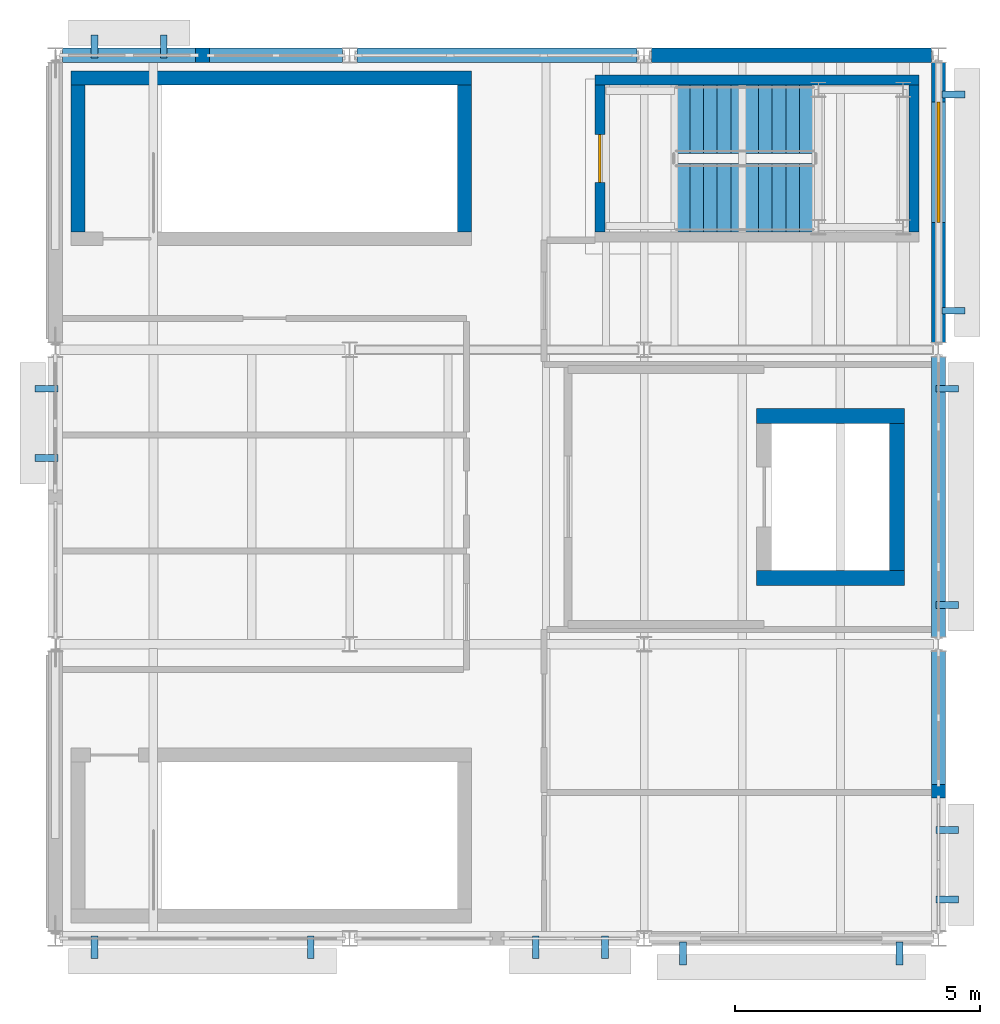
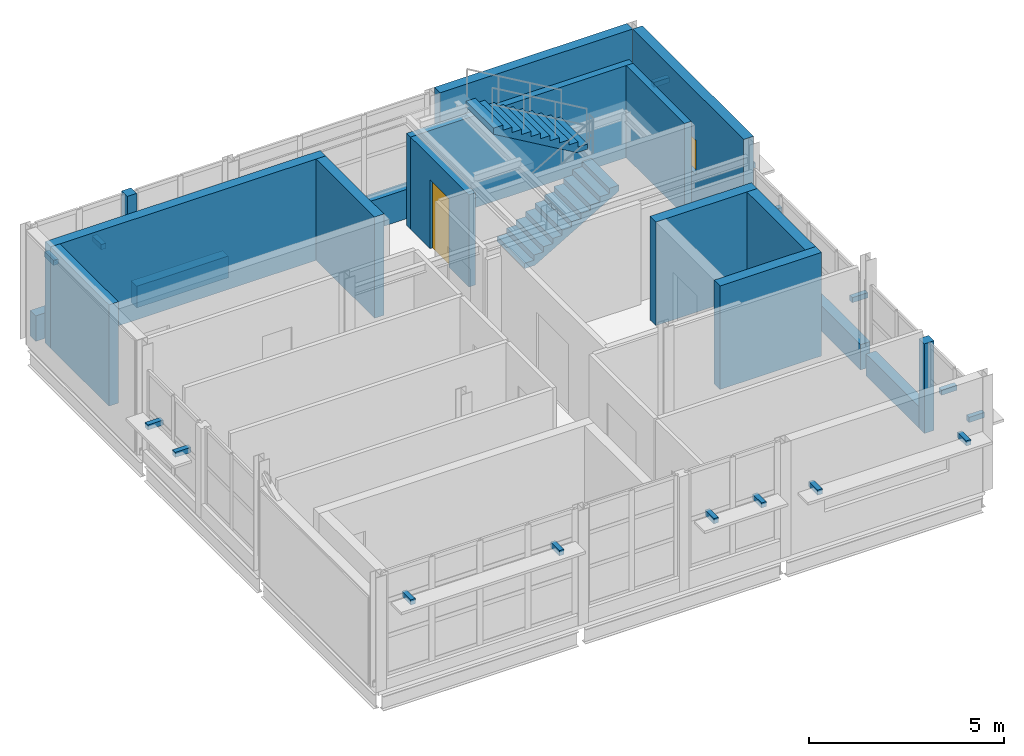
# One storey, part 7 of 8: 18 walls, 16 discrete accessories, 2 stair flights, 1 door, 1 window, 2 openings, 1 element without a shape of its own.
"""IFC4 building model written with IfcOpenShell, lengths in metres."""

from ifc_helpers import new_model, si_unit, direction, frame, frame_2d, origin, origin_2d, place, context, subcontext, project, spatial, polyline, rectangle, outline, extrude, material, layer, layer_set, type_object, element, fill, aggregate, save


model = new_model("IFC4")

# Units and contexts
model_context = context("Model", 3, precision=1e-05, world=origin(), true_north=direction((0.0, 1.0)))
body_context = subcontext(model_context, "Body", "Model", "MODEL_VIEW")
ifc_project = project(units=[si_unit("LENGTHUNIT", "METRE"), si_unit("AREAUNIT", "SQUARE_METRE"), si_unit("VOLUMEUNIT", "CUBIC_METRE"), si_unit("PLANEANGLEUNIT", "RADIAN"), si_unit("MASSUNIT", "GRAM", prefix="KILO")], contexts=[model_context])

# Site, building, storey
site_placement = place(None, origin())
site = spatial("IfcSite", under=ifc_project, at=site_placement, CompositionType="ELEMENT")
building_placement = place(site_placement, origin())
building = spatial("IfcBuilding", under=site, at=building_placement, Name="Siltcreek Boulevard Central Fire Station", CompositionType="ELEMENT")
storey_placement = place(building_placement, frame((0.0, 0.0, 21.60009765625)))
storey = spatial("IfcBuildingStorey", under=building, at=storey_placement, Name="L06", CompositionType="ELEMENT", Elevation=21.60009765625)

# Walls
ifc_material_1 = material(Name="Concrete C40/50", Category="concrete")
ifc_layer_1 = layer(ifc_material_1, 0.280029296875, Name="Concrete C40/50")
ifc_layer_set_1 = layer_set([ifc_layer_1], Name="Concrete C40/50")
wall_type_1 = type_object("IfcWallType", Name="CW_SHEAR280", PredefinedType="SHEAR", material=ifc_layer_set_1)
wall_1_placement = place(storey_placement, frame((50.47998046875, 111.739990234375, 0.0), z_axis=(0.0, 0.0, 1.0), x_axis=(-1.0, 0.0, 0.0)))
element("IfcWall", 1, at=wall_1_placement, inside=storey, type_object=wall_type_1, Name="L06 ST-V3B stair enclosure north shear wall", PredefinedType="SHEAR", context=body_context, shape_type="SweptSolid", body=[
    extrude(rectangle(XDim=8.159912109375, YDim=0.280029296875, at=frame_2d((4.080078125, 0.0))), origin(), (0.0, 0.0, 1.0), 3.179931640625),
])
for number, where, z_axis, x_axis, name in (
    (2, (42.4599609375, 111.60009765625, 0.0), (0.0, 0.0, 1.0), (0.0, -1.0, 0.0), "L06 ST-V3B stair enclosure west shear wall"),
    (3, (50.340087890625, 108.60009765625, 0.0), (0.0, 0.0, 1.0), (0.0, 1.0, 0.0), "L06 ST-V3B stair enclosure east shear wall"),
):
    element("IfcWall", number, at=place(storey_placement, frame(where, z_axis=z_axis, x_axis=x_axis)), inside=storey, type_object=wall_type_1, Name=name, PredefinedType="SHEAR", context=body_context, shape_type="SweptSolid", body=[
        extrude(rectangle(XDim=3.0, YDim=0.280029296875, at=frame_2d((1.5, 0.0))), origin(), (0.0, 0.0, 1.0), 3.179931640625),
    ])
ifc_layer_2 = layer(ifc_material_1, 0.304931640625, Name="Concrete C40/50")
ifc_layer_set_2 = layer_set([ifc_layer_2], Name="Concrete C40/50")
wall_type_2 = type_object("IfcWallType", Name="CW_SHEAR305", PredefinedType="SHEAR", material=ifc_layer_set_2)
for number, where, z_axis, x_axis, name in (
    (4, (56.294921875, 101.547607421875, 0.0), (0.0, 0.0, 1.0), (1.0, 0.0, 0.0), "L06 EL-04 elevator shaft south shear wall"),
    (5, (59.304931640625, 104.8525390625, 0.0), (0.0, 0.0, 1.0), (-1.0, 0.0, 0.0), "L06 EL-04 elevator shaft north shear wall"),
):
    element("IfcWall", number, at=place(storey_placement, frame(where, z_axis=z_axis, x_axis=x_axis)), inside=storey, type_object=wall_type_2, Name=name, PredefinedType="SHEAR", context=body_context, shape_type="SweptSolid", body=[
        extrude(rectangle(XDim=3.010009765625, YDim=0.304931640625, at=frame_2d((1.5048828125, 0.0))), origin(), (0.0, 0.0, 1.0), 3.25),
    ])
wall_2_placement = place(storey_placement, frame((59.152587890625, 101.699951171875, 0.0), z_axis=(0.0, 0.0, 1.0), x_axis=(0.0, 1.0, 0.0)))
element("IfcWall", 6, at=wall_2_placement, inside=storey, type_object=wall_type_2, Name="L06 EL-04 elevator shaft east shear wall", PredefinedType="SHEAR", context=body_context, shape_type="SweptSolid", body=[
    extrude(rectangle(XDim=3.0, YDim=0.304931640625, at=frame_2d((1.5, 0.0))), origin(), (0.0, 0.0, 1.0), 3.25),
])
ifc_material_2 = material(Name="White ribbed aluminum spandrel wall", Category="aluminium")
ifc_layer_3 = layer(ifc_material_2, 0.2900390625, Name="White ribbed aluminum spandrel wall")
ifc_layer_set_3 = layer_set([ifc_layer_3], Name="White ribbed aluminum spandrel wall")
wall_type_3 = type_object("IfcWallType", Name="EW_METAL290", PredefinedType="STANDARD", material=ifc_layer_set_3)
wall_3_placement = place(storey_placement, frame((45.139892578125, 112.199951171875, 0.0), z_axis=(0.0, 0.0, 1.0), x_axis=(-1.0, 0.0, 0.0)))
element("IfcWall", 7, at=wall_3_placement, inside=storey, type_object=wall_type_3, Name="L06 V3 facade pier 0208", PredefinedType="STANDARD", context=body_context, shape_type="SweptSolid", body=[
    extrude(rectangle(XDim=0.27978515625, YDim=0.2900390625, at=frame_2d((0.139892578125, 0.0))), origin(), (0.0, 0.0, 1.0), 3.599853515625),
])
wall_4_placement = place(storey_placement, frame((47.85498046875, 112.199951171875, 0.0), z_axis=(0.0, 0.0, 1.0), x_axis=(-1.0, 0.0, 0.0)))
element("IfcWall", 8, at=wall_4_placement, inside=storey, type_object=wall_type_3, Name="L06 V3 curtain-wall sill spandrel 0209", PredefinedType="STANDARD", context=body_context, shape_type="SweptSolid", body=[
    extrude(rectangle(XDim=2.715087890625, YDim=0.2900390625, at=frame_2d((1.357421875, 0.0))), origin(), (0.0, 0.0, 1.0), 0.679931640625),
])
wall_5_placement = place(storey_placement, frame((44.860107421875, 112.199951171875, 0.0), z_axis=(0.0, 0.0, 1.0), x_axis=(-1.0, 0.0, 0.0)))
element("IfcWall", 9, at=wall_5_placement, inside=storey, type_object=wall_type_3, Name="L06 V3 curtain-wall sill spandrel 0210", PredefinedType="STANDARD", context=body_context, shape_type="SweptSolid", body=[
    extrude(rectangle(XDim=2.715087890625, YDim=0.2900390625, at=frame_2d((1.357421875, 0.0))), origin(), (0.0, 0.0, 1.0), 0.7998046875),
])
wall_6_placement = place(storey_placement, frame((53.85498046875, 112.199951171875, 0.0), z_axis=(0.0, 0.0, 1.0), x_axis=(-1.0, 0.0, 0.0)))
element("IfcWall", 10, at=wall_6_placement, inside=storey, type_object=wall_type_3, Name="L06 V3 curtain-wall sill spandrel 0211", PredefinedType="STANDARD", context=body_context, shape_type="SweptSolid", body=[
    extrude(rectangle(XDim=5.7099609375, YDim=0.2900390625, at=frame_2d((2.85498046875, 0.0))), origin(), (0.0, 0.0, 1.0), 0.919921875),
])
wall_7_placement = place(storey_placement, frame((59.85498046875, 112.199951171875, 0.0), z_axis=(0.0, 0.0, 1.0), x_axis=(-1.0, 0.0, 0.0)))
element("IfcWall", 11, at=wall_7_placement, inside=storey, type_object=wall_type_3, Name="L06 V3 exterior insulated rainscreen wall WL-EXT-L06-0212", PredefinedType="STANDARD", context=body_context, shape_type="SweptSolid", body=[
    extrude(rectangle(XDim=5.7099609375, YDim=0.2900390625, at=frame_2d((2.85498046875, 0.0))), origin(), (0.0, 0.0, 1.0), 3.599853515625),
])
wall_8_placement = place(storey_placement, frame((60.0, 97.06005859375, 0.0), z_axis=(0.0, 0.0, 1.0), x_axis=(0.0, 1.0, 0.0)))
element("IfcWall", 12, at=wall_8_placement, inside=storey, type_object=wall_type_3, Name="L06 V3 facade pier 0218", PredefinedType="STANDARD", context=body_context, shape_type="SweptSolid", body=[
    extrude(rectangle(XDim=0.280029296875, YDim=0.2900390625, at=frame_2d((0.14013671875, 0.0))), origin(), (0.0, 0.0, 1.0), 2.812744140625),
])
wall_9_placement = place(storey_placement, frame((60.0, 97.340087890625, 0.0), z_axis=(0.0, 0.0, 1.0), x_axis=(0.0, 1.0, 0.0)))
element("IfcWall", 13, at=wall_9_placement, inside=storey, type_object=wall_type_3, Name="L06 V3 curtain-wall sill spandrel 0220", PredefinedType="STANDARD", context=body_context, shape_type="SweptSolid", body=[
    extrude(rectangle(XDim=2.71484375, YDim=0.2900390625, at=frame_2d((1.357421875, 0.0))), origin(), (0.0, 0.0, 1.0), 0.679931640625),
])
wall_10_placement = place(storey_placement, frame((60.0, 100.344970703125, 0.0), z_axis=(0.0, 0.0, 1.0), x_axis=(0.0, 1.0, 0.0)))
element("IfcWall", 14, at=wall_10_placement, inside=storey, type_object=wall_type_3, Name="L06 V3 curtain-wall sill spandrel 0221", PredefinedType="STANDARD", context=body_context, shape_type="SweptSolid", body=[
    extrude(rectangle(XDim=5.7099609375, YDim=0.2900390625, at=frame_2d((2.85498046875, 0.0))), origin(), (0.0, 0.0, 1.0), 0.7998046875),
])

# Wall, opening, window
wall_11_placement = place(storey_placement, frame((60.0, 106.344970703125, 0.0), z_axis=(0.0, 0.0, 1.0), x_axis=(0.0, 1.0, 0.0)))
wall_11 = element("IfcWall", 15, at=wall_11_placement, inside=storey, type_object=wall_type_3, Name="L06 V3 exterior insulated rainscreen wall WL-EXT-L06-0222", PredefinedType="STANDARD", context=body_context, shape_type="SweptSolid", body=[
    extrude(rectangle(XDim=5.7099609375, YDim=0.2900390625, at=frame_2d((2.85498046875, 0.0))), origin(), (0.0, 0.0, 1.0), 3.599853515625),
])
opening_1_placement = place(wall_11_placement, frame((2.44921875, 0.0, 1.0)))
opening_1 = element("IfcOpeningElement", 16, at=opening_1_placement, cuts=wall_11, Name="Opening WN31", PredefinedType="OPENING", context=body_context, shape_type="SweptSolid", body=[
    extrude(rectangle(XDim=2.449951171875, YDim=1.080078125, at=frame_2d((1.22509765625, 0.5400390625))), frame((0.0, 0.155029296875, 0.0), z_axis=(0.0, -1.0, 0.0), x_axis=(1.0, 0.0, 0.0)), (0.0, 0.0, 1.0), 0.31005859375),
])
ifc_material_3 = material(Name="Thermally broken aluminum frame with low-E insulated glass", Category="aluminium")
window_type = type_object("IfcWindowType", Name="WN_CL_245X108", PartitioningType="SINGLE_PANEL", PredefinedType="WINDOW", material=ifc_material_3)
window_placement = place(opening_1_placement, origin())
window = element("IfcWindow", 17, at=window_placement, inside=storey, type_object=window_type, Name="L06 V3 exterior window WN-0098", OverallHeight=1.080078125, OverallWidth=2.449951171875, PartitioningType="SINGLE_PANEL", PredefinedType="WINDOW", context=body_context, shape_type="SweptSolid", body=[
    extrude(rectangle(XDim=2.449951171875, YDim=1.080078125, at=frame_2d((1.22509765625, 0.5400390625))), frame((0.0, 0.030029296875, 0.0), z_axis=(0.0, -1.0, 0.0), x_axis=(1.0, 0.0, 0.0)), (0.0, 0.0, 1.0), 0.06005859375),
])
fill(opening_1, window)

# Wall
ifc_material_4 = material(Name="Fire-rated concrete masonry and gypsum barrier", Category="masonry")
ifc_layer_4 = layer(ifc_material_4, 0.199951171875, Name="Fire-rated concrete masonry and gypsum barrier")
ifc_layer_set_4 = layer_set([ifc_layer_4], Name="Fire-rated concrete masonry and gypsum barrier")
wall_type_4 = type_object("IfcWallType", Name="IW_FIRE200", PredefinedType="PARTITIONING", material=ifc_layer_set_4)
wall_12_placement = place(storey_placement, frame((59.60009765625, 111.699951171875, 0.0), z_axis=(0.0, 0.0, 1.0), x_axis=(-1.0, 0.0, 0.0)))
element("IfcWall", 18, at=wall_12_placement, inside=storey, type_object=wall_type_4, Name="L06 ST-V3-RF stair enclosure north fire wall", PredefinedType="PARTITIONING", context=body_context, shape_type="SweptSolid", body=[
    extrude(rectangle(XDim=6.60009765625, YDim=0.199951171875, at=frame_2d((3.300048828125, 0.0))), origin(), (0.0, 0.0, 1.0), 2.889892578125),
])

# Wall, opening, door
wall_13_placement = place(storey_placement, frame((53.10009765625, 111.60009765625, 0.0), z_axis=(0.0, 0.0, 1.0), x_axis=(0.0, -1.0, 0.0)))
wall_13 = element("IfcWall", 19, at=wall_13_placement, inside=storey, type_object=wall_type_4, Name="L06 ST-V3-RF stair enclosure west fire wall", PredefinedType="PARTITIONING", context=body_context, shape_type="SweptSolid", body=[
    extrude(rectangle(XDim=3.0, YDim=0.199951171875, at=frame_2d((1.5, 0.0))), origin(), (0.0, 0.0, 1.0), 2.889892578125),
])
opening_2_placement = place(wall_13_placement, frame((1.010009765625, 0.0, 0.0)))
opening_2 = element("IfcOpeningElement", 20, at=opening_2_placement, cuts=wall_13, Name="Opening SD-050", PredefinedType="OPENING", context=body_context, shape_type="SweptSolid", body=[
    extrude(rectangle(XDim=0.97998046875, YDim=2.14990234375, at=frame_2d((0.489990234375, 1.074951171875))), frame((0.0, 0.10986328125, 0.0), z_axis=(0.0, -1.0, 0.0), x_axis=(1.0, 0.0, 0.0)), (0.0, 0.0, 1.0), 0.219970703125),
])
ifc_material_5 = material(Name="Hollow metal 90-min enclosed stair door")
door_type = type_object("IfcDoorType", Name="DR_ST_098X215", OperationType="NOTDEFINED", PredefinedType="DOOR", material=ifc_material_5)
door_placement = place(opening_2_placement, origin())
door = element("IfcDoor", 21, at=door_placement, inside=storey, type_object=door_type, Name="L06 ST-V3-RF enclosed exit stair door SD-050", OperationType="SINGLE_SWING_LEFT", OverallHeight=2.14990234375, OverallWidth=0.97998046875, PredefinedType="DOOR", context=body_context, shape_type="SweptSolid", body=[
    extrude(rectangle(XDim=0.97998046875, YDim=2.14990234375, at=frame_2d((0.489990234375, 1.074951171875))), frame((0.0, 0.02490234375, 0.0), z_axis=(0.0, -1.0, 0.0), x_axis=(1.0, 0.0, 0.0)), (0.0, 0.0, 1.0), 0.050048828125),
])
fill(opening_2, door)

# Wall
wall_14_placement = place(storey_placement, frame((59.5, 108.60009765625, 0.0), z_axis=(0.0, 0.0, 1.0), x_axis=(0.0, 1.0, 0.0)))
element("IfcWall", 22, at=wall_14_placement, inside=storey, type_object=wall_type_4, Name="L06 ST-V3-RF stair enclosure east fire wall", PredefinedType="PARTITIONING", context=body_context, shape_type="SweptSolid", body=[
    extrude(rectangle(XDim=3.0, YDim=0.199951171875, at=frame_2d((1.5, 0.0))), origin(), (0.0, 0.0, 1.0), 2.889892578125),
])

# Stair, stair flights
ifc_material_6 = material(Name="Precast concrete C40/50", Category="concrete")
stair_type = type_object("IfcStairType", Name="ST_DOG_H36", PredefinedType="HALF_TURN_STAIR", material=ifc_material_6)
stair_placement = place(storey_placement, origin())
stair = element("IfcStair", 23, at=stair_placement, inside=storey, type_object=stair_type, Name="L06 Enclosed exit stairway ST-V3-RF", PredefinedType="HALF_TURN_STAIR")
stair_flight_type = type_object("IfcStairFlightType", Name="SF_DOG_H36", PredefinedType="STRAIGHT", material=ifc_material_6)
stair_flight_1_placement = place(storey_placement, frame((54.64990234375, 109.300048828125, 0.0), z_axis=(0.0, 0.0, 1.0), x_axis=(1.0, 0.0, 0.0)))
stair_flight_1 = element("IfcStairFlight", 24, at=stair_flight_1_placement, type_object=stair_flight_type, Name="ST-V3-RF flight 1", NumberOfRisers=11, NumberOfTreads=10, PredefinedType="STRAIGHT", RiserHeight=0.163636364, TreadLength=0.28, context=body_context, shape_type="SweptSolid", body=[
    extrude(outline(polyline([(0.0, 0.0), (0.0, 0.16357421875), (0.280029296875, 0.16357421875), (0.280029296875, 0.327392578125), (0.56005859375, 0.327392578125), (0.56005859375, 0.490966796875), (0.840087890625, 0.490966796875), (0.840087890625, 0.654541015625), (1.1201171875, 0.654541015625), (1.1201171875, 0.818115234375), (1.39990234375, 0.818115234375), (1.39990234375, 0.98193359375), (1.679931640625, 0.98193359375), (1.679931640625, 1.1455078125), (1.9599609375, 1.1455078125), (1.9599609375, 1.30908203125), (2.239990234375, 1.30908203125), (2.239990234375, 1.47265625), (2.52001953125, 1.47265625), (2.52001953125, 1.636474609375), (2.800048828125, 1.636474609375), (2.800048828125, 1.800048828125), (2.800048828125, 1.451171875), (0.31689453125, 0.0), (0.0, 0.0)])), frame((0.0, 0.699951171875, 0.0), z_axis=(0.0, -1.0, 0.0), x_axis=(1.0, 0.0, 0.0)), (0.0, 0.0, 1.0), 1.39990234375),
])
stair_flight_2_placement = place(storey_placement, frame((57.449951171875, 110.89990234375, 1.7998046875), z_axis=(0.0, 0.0, 1.0), x_axis=(-1.0, 0.0, 0.0)))
stair_flight_2 = element("IfcStairFlight", 25, at=stair_flight_2_placement, type_object=stair_flight_type, Name="ST-V3-RF flight 2", NumberOfRisers=11, NumberOfTreads=10, PredefinedType="STRAIGHT", RiserHeight=0.163636364, TreadLength=0.28, context=body_context, shape_type="SweptSolid", body=[
    extrude(outline(polyline([(0.0, 0.0), (0.0, 0.16357421875), (0.280029296875, 0.16357421875), (0.280029296875, 0.327392578125), (0.56005859375, 0.327392578125), (0.56005859375, 0.490966796875), (0.840087890625, 0.490966796875), (0.840087890625, 0.654541015625), (1.1201171875, 0.654541015625), (1.1201171875, 0.818115234375), (1.39990234375, 0.818115234375), (1.39990234375, 0.98193359375), (1.679931640625, 0.98193359375), (1.679931640625, 1.1455078125), (1.9599609375, 1.1455078125), (1.9599609375, 1.30908203125), (2.239990234375, 1.30908203125), (2.239990234375, 1.47265625), (2.52001953125, 1.47265625), (2.52001953125, 1.636474609375), (2.800048828125, 1.636474609375), (2.800048828125, 1.800048828125), (2.800048828125, 1.451171875), (0.31689453125, 0.0), (0.0, 0.0)])), frame((0.0, 0.699951171875, 0.0), z_axis=(0.0, -1.0, 0.0), x_axis=(1.0, 0.0, 0.0)), (0.0, 0.0, 1.0), 1.39990234375),
])
aggregate(stair, [stair_flight_1, stair_flight_2])

# Discrete accessories
ifc_material_7 = material(Name="Hot-dip galvanized steel facade outrigger bracket", Category="steel")
discrete_accessory_type = type_object("IfcDiscreteAccessoryType", Name="ACC_BRACKET", PredefinedType="BRACKET", material=ifc_material_7)
for number, where, z_axis, x_axis, name in (
    (26, (42.794921875, 94.02001953125, 2.6015625), (0.0, 0.0, 1.0), (1.0, 0.0, 0.0), "Galvanized sunshade support bracket BK-113"),
    (27, (47.205078125, 94.02001953125, 2.6015625), (0.0, 0.0, 1.0), (1.0, 0.0, 0.0), "Galvanized sunshade support bracket BK-114"),
    (28, (51.7900390625, 94.02001953125, 2.0), (0.0, 0.0, 1.0), (1.0, 0.0, 0.0), "Galvanized sunshade support bracket BK-115"),
    (29, (53.205078125, 94.02001953125, 2.0), (0.0, 0.0, 1.0), (1.0, 0.0, 0.0), "Galvanized sunshade support bracket BK-116"),
    (30, (54.794921875, 93.89501953125, 1.919921875), (0.0, 0.0, 1.0), (1.0, 0.0, 0.0), "Galvanized sunshade support bracket BK-117"),
    (31, (59.205078125, 93.89501953125, 1.919921875), (0.0, 0.0, 1.0), (1.0, 0.0, 0.0), "Galvanized sunshade support bracket BK-118"),
    (32, (44.2099609375, 112.3798828125, 2.1201171875), (0.0, 0.0, 1.0), (-1.0, 0.0, 0.0), "Galvanized sunshade support bracket BK-119"),
    (33, (42.794921875, 112.3798828125, 2.1201171875), (0.0, 0.0, 1.0), (-1.0, 0.0, 0.0), "Galvanized sunshade support bracket BK-120"),
    (34, (41.820068359375, 105.405029296875, 1.486328125), (0.0, 0.0, 1.0), (0.0, -1.0, 0.0), "Galvanized sunshade support bracket BK-121"),
    (35, (41.820068359375, 103.989990234375, 1.486328125), (0.0, 0.0, 1.0), (0.0, -1.0, 0.0), "Galvanized sunshade support bracket BK-122"),
    (36, (60.179931640625, 94.9951171875, 1.6064453125), (0.0, 0.0, 1.0), (0.0, 1.0, 0.0), "Galvanized sunshade support bracket BK-123"),
    (37, (60.179931640625, 96.409912109375, 1.6064453125), (0.0, 0.0, 1.0), (0.0, 1.0, 0.0), "Galvanized sunshade support bracket BK-124"),
    (38, (60.179931640625, 100.9951171875, 1.7265625), (0.0, 0.0, 1.0), (0.0, 1.0, 0.0), "Galvanized sunshade support bracket BK-125"),
    (39, (60.179931640625, 105.405029296875, 1.7265625), (0.0, 0.0, 1.0), (0.0, 1.0, 0.0), "Galvanized sunshade support bracket BK-126"),
    (40, (60.304931640625, 106.9951171875, 2.1201171875), (0.0, 0.0, 1.0), (0.0, 1.0, 0.0), "Galvanized sunshade support bracket BK-127"),
    (41, (60.304931640625, 111.405029296875, 2.1201171875), (0.0, 0.0, 1.0), (0.0, 1.0, 0.0), "Galvanized sunshade support bracket BK-128"),
):
    element("IfcDiscreteAccessory", number, at=place(storey_placement, frame(where, z_axis=z_axis, x_axis=x_axis)), inside=storey, type_object=discrete_accessory_type, Name=name, PredefinedType="BRACKET", context=body_context, shape_type="SweptSolid", body=[
        extrude(rectangle(XDim=0.139892578125, YDim=0.4599609375, at=origin_2d()), origin(), (0.0, 0.0, 1.0), 0.159912109375),
    ])

save(model, "model.ifc")
